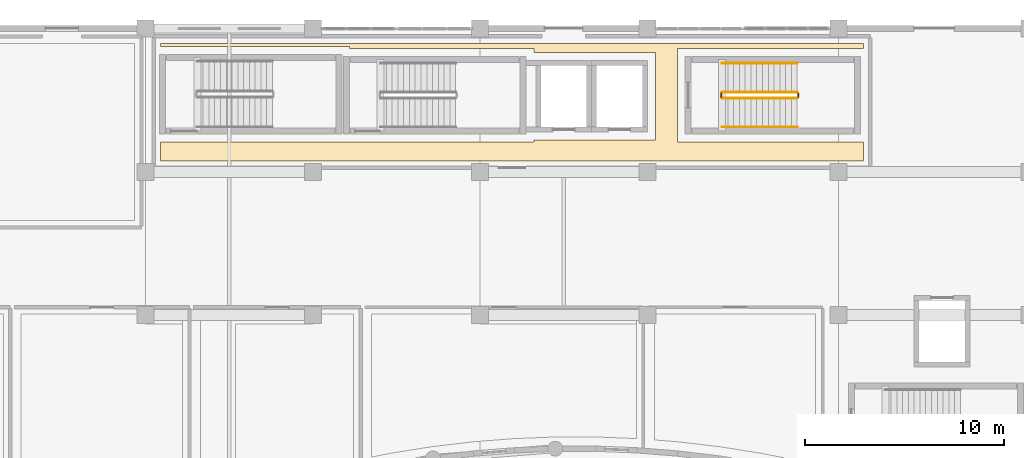
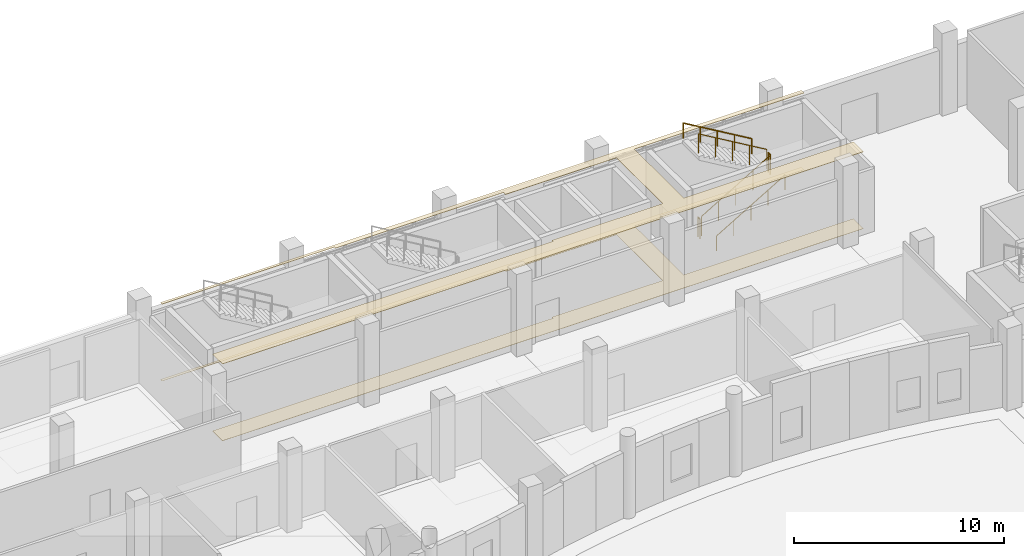
# One storey, part 91 of 97: 6 railings, 2 coverings.
"""IFC4 building model written with IfcOpenShell, lengths in metres."""

from ifc_helpers import new_model, si_unit, direction, frame, origin, origin_2d, place, context, subcontext, project, spatial, polyline, circle, outline, extrude, material, layer, layer_set, type_object, element, save


model = new_model("IFC4")

# Units and contexts
model_context = context("Model", 3, precision=1e-05, world=origin(), true_north=direction((0.0, 1.0)))
body_context = subcontext(model_context, "Body", "Model", "MODEL_VIEW")
ifc_project = project(units=[si_unit("LENGTHUNIT", "METRE"), si_unit("AREAUNIT", "SQUARE_METRE"), si_unit("VOLUMEUNIT", "CUBIC_METRE"), si_unit("PLANEANGLEUNIT", "RADIAN"), si_unit("MASSUNIT", "GRAM", prefix="KILO")], contexts=[model_context])

# Site, building, storey
site_placement = place(None, origin())
site = spatial("IfcSite", under=ifc_project, at=site_placement, CompositionType="ELEMENT")
building_placement = place(site_placement, origin())
building = spatial("IfcBuilding", under=site, at=building_placement, Name="Kisaragi Civic Commons", CompositionType="ELEMENT")
storey_placement = place(building_placement, origin())
storey = spatial("IfcBuildingStorey", under=building, at=storey_placement, Name="L00", CompositionType="ELEMENT", Elevation=0.0)

# Coverings
ifc_material_1 = material(Name="Perforated mineral-fibre & hinoki slat acoustic ceiling")
ifc_layer_1 = layer(ifc_material_1, 0.02490234375, Name="Perforated mineral-fibre & hinoki slat acoustic ceiling")
ifc_layer_set_1 = layer_set([ifc_layer_1], Name="Perforated mineral-fibre & hinoki slat acoustic ceiling")
covering_type_1 = type_object("IfcCoveringType", Name="CLG-02", PredefinedType="CEILING", material=ifc_layer_set_1)
covering_1_placement = place(storey_placement, frame((0.0, 0.0, 4.469970703125)))
element("IfcCovering", 1, at=covering_1_placement, inside=storey, type_object=covering_type_1, Name="Stair Exit Lobby North acoustic ceiling", PredefinedType="CEILING", context=body_context, shape_type="SweptSolid", body=[
    extrude(outline(polyline([(89.550048828125, 118.050048828125), (89.550048828125, 117.89990234375), (99.050048828125, 117.89990234375), (99.050048828125, 117.800048828125), (108.300048828125, 117.800048828125), (108.300048828125, 117.60009765625), (114.39990234375, 117.60009765625), (114.39990234375, 113.199951171875), (108.300048828125, 113.199951171875), (108.300048828125, 113.10009765625), (89.550048828125, 113.10009765625), (89.550048828125, 112.14990234375), (124.85009765625, 112.14990234375), (124.85009765625, 113.10009765625), (115.5, 113.10009765625), (115.5, 117.800048828125), (124.85009765625, 117.800048828125), (124.85009765625, 118.050048828125), (89.550048828125, 118.050048828125)])), origin(), (0.0, 0.0, 1.0), 0.025146484375),
])
ifc_material_2 = material(Name="Honed Mino ceramic tile & resilience acoustic flooring")
ifc_layer_2 = layer(ifc_material_2, 0.01611328125, Name="Honed Mino ceramic tile & resilience acoustic flooring")
ifc_layer_set_2 = layer_set([ifc_layer_2], Name="Honed Mino ceramic tile & resilience acoustic flooring")
covering_type_2 = type_object("IfcCoveringType", Name="FLR-02", PredefinedType="FLOORING", material=ifc_layer_set_2)
covering_2_placement = place(storey_placement, origin())
element("IfcCovering", 2, at=covering_2_placement, inside=storey, type_object=covering_type_2, Name="Stair Exit Lobby North floor finish", PredefinedType="FLOORING", context=body_context, shape_type="SweptSolid", body=[
    extrude(outline(polyline([(89.550048828125, 117.89990234375), (99.050048828125, 117.89990234375), (99.050048828125, 117.800048828125), (108.300048828125, 117.800048828125), (108.300048828125, 117.60009765625), (114.39990234375, 117.60009765625), (114.39990234375, 113.199951171875), (108.300048828125, 113.199951171875), (108.300048828125, 113.10009765625), (89.550048828125, 113.10009765625), (89.550048828125, 112.14990234375), (124.85009765625, 112.14990234375), (124.85009765625, 113.10009765625), (115.5, 113.10009765625), (115.5, 117.800048828125), (124.85009765625, 117.800048828125), (124.85009765625, 118.050048828125), (89.550048828125, 118.050048828125), (89.550048828125, 117.89990234375)])), origin(), (0.0, 0.0, 1.0), 0.01611328125),
])

# Railings
ifc_material_3 = material(Name="Powder-coated architectural steel and hinoki cap rail", Category="steel")
railing_type_1 = type_object("IfcRailingType", Name="GRD-S1", PredefinedType="GUARDRAIL", material=ifc_material_3)
railing_1_placement = place(storey_placement, frame((117.75, 115.300048828125, 0.17138671875)))
element("IfcRailing", 3, at=railing_1_placement, inside=storey, type_object=railing_type_1, Name="L00 ST-L2 stair guard 1", PredefinedType="GUARDRAIL", context=body_context, shape_type="SweptSolid", body=[
    extrude(circle(Radius=0.02392578125, at=origin_2d()), frame((0.0, 0.0, 1.1259765625), z_axis=(0.860848830602, 0.0, 0.508860777473), x_axis=(0.0, 1.0, 0.0)), (0.0, 0.0, 1.0), 4.37939453125),
    extrude(circle(Radius=0.02099609375, at=origin_2d()), origin(), (0.0, 0.0, 1.0), 1.101806640625),
    extrude(circle(Radius=0.02099609375, at=origin_2d()), frame((0.9423828125, 0.0, 0.55712890625)), (0.0, 0.0, 1.0), 1.101806640625),
    extrude(circle(Radius=0.02099609375, at=origin_2d()), frame((1.885009765625, 0.0, 1.1142578125)), (0.0, 0.0, 1.0), 1.101806640625),
    extrude(circle(Radius=0.02099609375, at=origin_2d()), frame((2.82763671875, 0.0, 1.67138671875)), (0.0, 0.0, 1.0), 1.101806640625),
    extrude(circle(Radius=0.02099609375, at=origin_2d()), frame((3.77001953125, 0.0, 2.228515625)), (0.0, 0.0, 1.0), 1.101806640625),
])
railing_2_placement = place(storey_placement, frame((121.570068359375, 115.35009765625, 2.39990234375)))
element("IfcRailing", 4, at=railing_2_placement, inside=storey, type_object=railing_type_1, Name="L00 ST-L2 stair guard 2", PredefinedType="GUARDRAIL", context=body_context, shape_type="SweptSolid", body=[
    extrude(circle(Radius=0.02392578125, at=origin_2d()), frame((0.0, 0.0, 1.1259765625), z_axis=(0.0, 1.0, 0.0), x_axis=(-1.0, 0.0, 0.0)), (0.0, 0.0, 1.0), 0.199951171875),
    extrude(circle(Radius=0.02099609375, at=origin_2d()), origin(), (0.0, 0.0, 1.0), 1.101806640625),
    extrude(circle(Radius=0.02099609375, at=origin_2d()), frame((0.0, 0.199951171875, 0.0)), (0.0, 0.0, 1.0), 1.101806640625),
])
railing_3_placement = place(storey_placement, frame((121.52001953125, 115.60009765625, 2.571533203125)))
element("IfcRailing", 5, at=railing_3_placement, inside=storey, type_object=railing_type_1, Name="L00 ST-L2 stair guard 3", PredefinedType="GUARDRAIL", context=body_context, shape_type="SweptSolid", body=[
    extrude(circle(Radius=0.02392578125, at=origin_2d()), frame((0.0, 0.0, 1.1259765625), z_axis=(-0.860848830602, 0.0, 0.508860777473), x_axis=(0.0, -1.0, 0.0)), (0.0, 0.0, 1.0), 4.37939453125),
    extrude(circle(Radius=0.02099609375, at=origin_2d()), origin(), (0.0, 0.0, 1.0), 1.101806640625),
    extrude(circle(Radius=0.02099609375, at=origin_2d()), frame((-0.9423828125, 0.0, 0.55712890625)), (0.0, 0.0, 1.0), 1.101806640625),
    extrude(circle(Radius=0.02099609375, at=origin_2d()), frame((-1.885009765625, 0.0, 1.1142578125)), (0.0, 0.0, 1.0), 1.101806640625),
    extrude(circle(Radius=0.02099609375, at=origin_2d()), frame((-2.82763671875, 0.0, 1.67138671875)), (0.0, 0.0, 1.0), 1.101806640625),
    extrude(circle(Radius=0.02099609375, at=origin_2d()), frame((-3.77001953125, 0.0, 2.228515625)), (0.0, 0.0, 1.0), 1.101806640625),
])
railing_4_placement = place(storey_placement, frame((117.699951171875, 115.35009765625, 0.0)))
element("IfcRailing", 6, at=railing_4_placement, inside=storey, type_object=railing_type_1, Name="L00 ST-L2 stair guard 4", PredefinedType="GUARDRAIL", context=body_context, shape_type="SweptSolid", body=[
    extrude(circle(Radius=0.02392578125, at=origin_2d()), frame((0.0, 0.0, 1.1259765625), z_axis=(0.0, 1.0, 0.0), x_axis=(-1.0, 0.0, 0.0)), (0.0, 0.0, 1.0), 0.199951171875),
    extrude(circle(Radius=0.02099609375, at=origin_2d()), origin(), (0.0, 0.0, 1.0), 1.101806640625),
    extrude(circle(Radius=0.02099609375, at=origin_2d()), frame((0.0, 0.199951171875, 0.0)), (0.0, 0.0, 1.0), 1.101806640625),
])
railing_type_2 = type_object("IfcRailingType", Name="HRL-01", PredefinedType="HANDRAIL", material=ifc_material_3)
railing_5_placement = place(storey_placement, frame((117.75, 113.85009765625, 0.17138671875)))
element("IfcRailing", 7, at=railing_5_placement, inside=storey, type_object=railing_type_2, Name="L00 ST-L2 stair handrail 1", PredefinedType="HANDRAIL", context=body_context, shape_type="SweptSolid", body=[
    extrude(circle(Radius=0.02392578125, at=origin_2d()), frame((0.0, 0.0, 0.8759765625), z_axis=(0.860848830602, 0.0, 0.508860777473), x_axis=(0.0, 1.0, 0.0)), (0.0, 0.0, 1.0), 4.37939453125),
    extrude(circle(Radius=0.02099609375, at=origin_2d()), origin(), (0.0, 0.0, 1.0), 0.851806640625),
    extrude(circle(Radius=0.02099609375, at=origin_2d()), frame((0.9423828125, 0.0, 0.55712890625)), (0.0, 0.0, 1.0), 0.851806640625),
    extrude(circle(Radius=0.02099609375, at=origin_2d()), frame((1.885009765625, 0.0, 1.1142578125)), (0.0, 0.0, 1.0), 0.851806640625),
    extrude(circle(Radius=0.02099609375, at=origin_2d()), frame((2.82763671875, 0.0, 1.67138671875)), (0.0, 0.0, 1.0), 0.851806640625),
    extrude(circle(Radius=0.02099609375, at=origin_2d()), frame((3.77001953125, 0.0, 2.228515625)), (0.0, 0.0, 1.0), 0.851806640625),
])
railing_6_placement = place(storey_placement, frame((121.52001953125, 117.050048828125, 2.571533203125)))
element("IfcRailing", 8, at=railing_6_placement, inside=storey, type_object=railing_type_2, Name="L00 ST-L2 stair handrail 2", PredefinedType="HANDRAIL", context=body_context, shape_type="SweptSolid", body=[
    extrude(circle(Radius=0.02392578125, at=origin_2d()), frame((0.0, 0.0, 0.8759765625), z_axis=(-0.860848830602, 0.0, 0.508860777473), x_axis=(0.0, -1.0, 0.0)), (0.0, 0.0, 1.0), 4.37939453125),
    extrude(circle(Radius=0.02099609375, at=origin_2d()), origin(), (0.0, 0.0, 1.0), 0.851806640625),
    extrude(circle(Radius=0.02099609375, at=origin_2d()), frame((-0.9423828125, 0.0, 0.55712890625)), (0.0, 0.0, 1.0), 0.851806640625),
    extrude(circle(Radius=0.02099609375, at=origin_2d()), frame((-1.885009765625, 0.0, 1.1142578125)), (0.0, 0.0, 1.0), 0.851806640625),
    extrude(circle(Radius=0.02099609375, at=origin_2d()), frame((-2.82763671875, 0.0, 1.67138671875)), (0.0, 0.0, 1.0), 0.851806640625),
    extrude(circle(Radius=0.02099609375, at=origin_2d()), frame((-3.77001953125, 0.0, 2.228515625)), (0.0, 0.0, 1.0), 0.851806640625),
])

save(model, "model.ifc")
